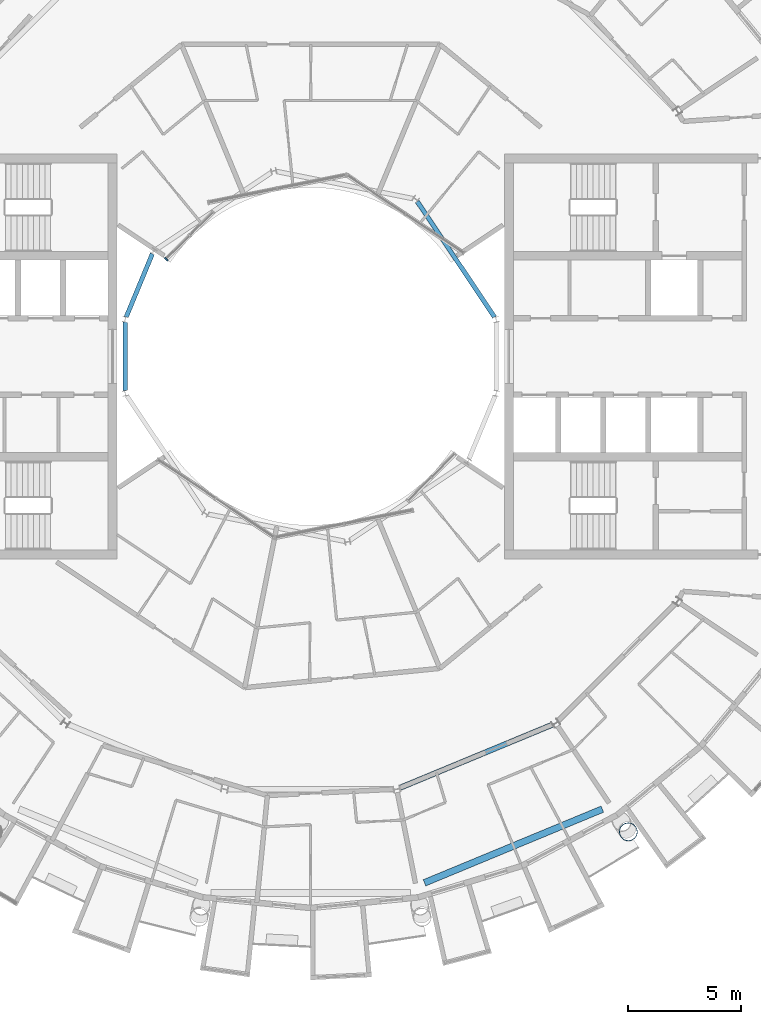
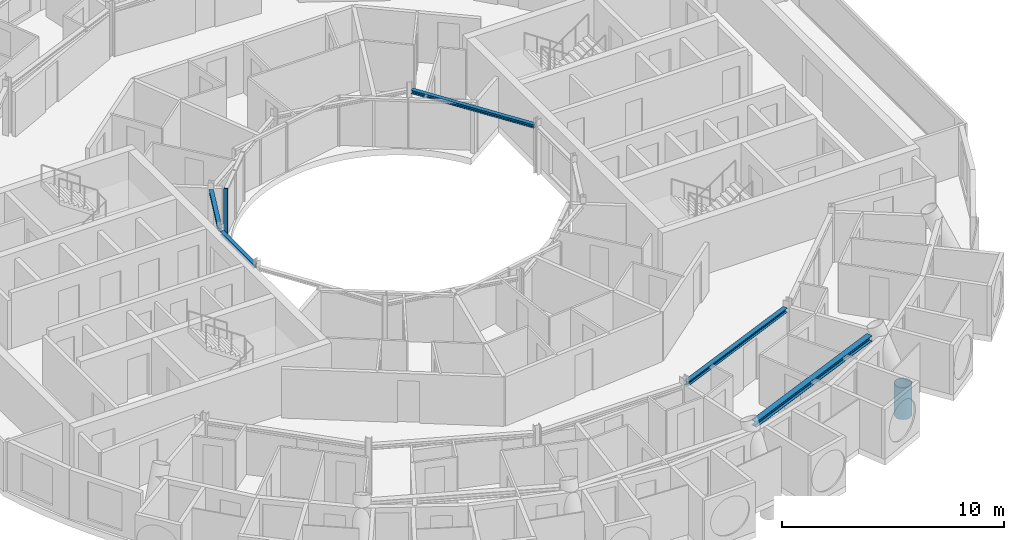
# One storey, part 7 of 27: 5 beams, 2 members, 1 element without a shape of its own.
"""IFC4 building model written with IfcOpenShell, lengths in metres."""

from ifc_helpers import new_model, si_unit, direction, frame, origin, origin_2d, place, context, subcontext, project, spatial, rectangle, hollow_circle, i_section, extrude, material, layer, layer_set, material_profile, profile_set, type_object, element, aggregate, save


model = new_model("IFC4")

# Units and contexts
model_context = context("Model", 3, precision=1e-05, world=origin(), true_north=direction((0.0, 1.0)))
body_context = subcontext(model_context, "Body", "Model", "MODEL_VIEW")
ifc_project = project(units=[si_unit("LENGTHUNIT", "METRE"), si_unit("AREAUNIT", "SQUARE_METRE"), si_unit("VOLUMEUNIT", "CUBIC_METRE"), si_unit("PLANEANGLEUNIT", "RADIAN"), si_unit("MASSUNIT", "GRAM", prefix="KILO")], contexts=[model_context])

# Site, building, storey
site_placement = place(None, origin())
site = spatial("IfcSite", under=ifc_project, at=site_placement, CompositionType="ELEMENT")
building_placement = place(site_placement, origin())
building = spatial("IfcBuilding", under=site, at=building_placement, Name="Maasbend Ring Residences", CompositionType="ELEMENT")
storey_placement = place(building_placement, frame((0.0, 0.0, 243.199951171875)))
storey = spatial("IfcBuildingStorey", under=building, at=storey_placement, Name="L70", CompositionType="ELEMENT", Elevation=243.199951171875)

# Curtain wall, member
ifc_material_1 = material(Name="Aluminium and clear glass", Category="aluminium")
ifc_layer = layer(ifc_material_1, 0.179931640625)
ifc_layer_set = layer_set([ifc_layer], Name="CW-W")
curtain_wall_type = type_object("IfcCurtainWallType", Name="CW-W", PredefinedType="NOTDEFINED", material=ifc_layer_set)
curtain_wall_placement = place(storey_placement, origin())
curtain_wall = element("IfcCurtainWall", 1, at=curtain_wall_placement, inside=storey, type_object=curtain_wall_type, Name="Well curtain wall N3", PredefinedType="NOTDEFINED")
ifc_material_2 = material(Name="Aluminium 6063-T6", Category="aluminium")
ifc_material_profile_1 = material_profile(ifc_material_2, rectangle(XDim=0.179931640625, YDim=0.06005859375, at=origin_2d()), Name="AL 180x60")
ifc_profile_set_1 = profile_set([ifc_material_profile_1], Name="Aluminium 6063-T6")
member_type_1 = type_object("IfcMemberType", Name="CWM-W", PredefinedType="MULLION", material=ifc_profile_set_1)
member_1_placement = place(storey_placement, frame((-6.413330078125, 4.320556640625, 0.0), z_axis=(0.0, 0.0, 1.0), x_axis=(0.707106781187, -0.707106781187, 0.0)))
member_1 = element("IfcMember", 2, at=member_1_placement, type_object=member_type_1, Name="Mullion well face", PredefinedType="MULLION", context=body_context, shape_type="SweptSolid", body=[
    extrude(rectangle(XDim=0.179931640625, YDim=0.06005859375, at=origin_2d()), origin(), (0.0, 0.0, 1.0), 2.699951171875),
])
aggregate(curtain_wall, [member_1])

# Member
ifc_material_3 = material(Name="Steel S460NH", Category="steel")
ifc_material_profile_2 = material_profile(ifc_material_3, hollow_circle(Radius=0.406494140625, WallThickness=0.030029296875, at=origin_2d()), Name="Column node insert CHS 813x30")
ifc_profile_set_2 = profile_set([ifc_material_profile_2], Name="Steel S460NH")
member_type_2 = type_object("IfcMemberType", Name="Column node insert CHS 813x30", PredefinedType="POST", material=ifc_profile_set_2)
member_2_placement = place(storey_placement, frame((14.111572265625, -21.119384765625, -1.5), z_axis=(0.0, 0.0, 1.0), x_axis=(1.0, 0.0, 0.0)))
element("IfcMember", 3, at=member_2_placement, inside=storey, type_object=member_type_2, Name="Column node insert R14", PredefinedType="POST", context=body_context, shape_type="SweptSolid", body=[
    extrude(hollow_circle(Radius=0.406494140625, WallThickness=0.030029296875, at=origin_2d()), origin(), (0.0, 0.0, 1.0), 1.741943359375),
])

# Beams
ifc_material_4 = material(Name="Steel S355J2", Category="steel")
ifc_material_profile_3 = material_profile(ifc_material_4, i_section(OverallWidth=0.239990234375, OverallDepth=0.22998046875, WebThickness=0.007568359375, FlangeThickness=0.011962890625, FilletRadius=0.02099609375, at=origin_2d()), Name="HEA 240")
ifc_profile_set_3 = profile_set([ifc_material_profile_3], Name="Steel S355J2")
beam_type_1 = type_object("IfcBeamType", Name="Corridor ring beam HEA 240", PredefinedType="BEAM", material=ifc_profile_set_3)
beam_1_placement = place(storey_placement, frame((3.965087890625, -19.164794921875, 2.5849609375), z_axis=(0.923875784142, 0.382692481603, 0.0), x_axis=(-0.382692481603, 0.923875784142, 0.0)))
element("IfcBeam", 4, at=beam_1_placement, inside=storey, type_object=beam_type_1, Name="Corridor ring beam", PredefinedType="BEAM", context=body_context, shape_type="SweptSolid", body=[
    extrude(i_section(OverallWidth=0.239990234375, OverallDepth=0.22998046875, WebThickness=0.007568359375, FlangeThickness=0.011962890625, FilletRadius=0.02099609375, at=origin_2d()), origin(), (0.0, 0.0, 1.0), 7.341552734375),
])
ifc_material_5 = material(Name="Steel S355J2", Category="steel")
ifc_material_profile_4 = material_profile(ifc_material_5, i_section(OverallWidth=0.300048828125, OverallDepth=0.300048828125, WebThickness=0.010986328125, FlangeThickness=0.01904296875, FilletRadius=0.027099609375, at=origin_2d()), Name="HEB 300")
ifc_profile_set_4 = profile_set([ifc_material_profile_4], Name="Steel S355J2")
beam_type_2 = type_object("IfcBeamType", Name="Spandrel ring beam HEB 300", PredefinedType="SPANDREL", material=ifc_profile_set_4)
beam_2_placement = place(storey_placement, frame((5.057861328125, -23.38330078125, 2.550048828125), z_axis=(0.923874855432, 0.382694723638, 0.0), x_axis=(-0.382694723638, 0.923874855432, 0.0)))
element("IfcBeam", 5, at=beam_2_placement, inside=storey, type_object=beam_type_2, Name="Spandrel ring beam", PredefinedType="SPANDREL", context=body_context, shape_type="SweptSolid", body=[
    extrude(i_section(OverallWidth=0.300048828125, OverallDepth=0.300048828125, WebThickness=0.010986328125, FlangeThickness=0.01904296875, FilletRadius=0.027099609375, at=origin_2d()), origin(), (0.0, 0.0, 1.0), 8.551025390625),
])
ifc_material_6 = material(Name="Steel S355J2", Category="steel")
ifc_material_profile_5 = material_profile(ifc_material_6, i_section(OverallWidth=0.199951171875, OverallDepth=0.18994140625, WebThickness=0.006591796875, FlangeThickness=0.010009765625, FilletRadius=0.01806640625, at=origin_2d()), Name="HEA 200")
ifc_profile_set_5 = profile_set([ifc_material_profile_5], Name="Steel S355J2")
beam_type_3 = type_object("IfcBeamType", Name="Well edge beam HEA 200", PredefinedType="BEAM", material=ifc_profile_set_5)
beam_3_placement = place(storey_placement, frame((8.16943359375, 1.7421875, 2.60498046875), z_axis=(-0.555547729421, 0.831484648286, 0.0), x_axis=(-0.831484648286, -0.555547729421, 0.0)))
element("IfcBeam", 6, at=beam_3_placement, inside=storey, type_object=beam_type_3, Name="Well edge beam", PredefinedType="BEAM", context=body_context, shape_type="SweptSolid", body=[
    extrude(i_section(OverallWidth=0.199951171875, OverallDepth=0.18994140625, WebThickness=0.006591796875, FlangeThickness=0.010009765625, FilletRadius=0.01806640625, at=origin_2d()), origin(), (0.0, 0.0, 1.0), 6.18017578125),
])
for number, where, z_axis, x_axis, name in (
    (7, (-7.029296875, 4.55859375, 2.60498046875), (-0.382609241817, -0.923910259753, 0.0), (0.923910259753, -0.382609241817, 0.0), "Well edge beam"),
    (8, (-8.238525390625, 1.521484375, 2.60498046875), (0.0, -1.0, 0.0), (1.0, 0.0, 0.0), "Well edge beam"),
):
    element("IfcBeam", number, at=place(storey_placement, frame(where, z_axis=z_axis, x_axis=x_axis)), inside=storey, type_object=beam_type_3, Name=name, PredefinedType="BEAM", context=body_context, shape_type="SweptSolid", body=[
        extrude(i_section(OverallWidth=0.199951171875, OverallDepth=0.18994140625, WebThickness=0.006591796875, FlangeThickness=0.010009765625, FilletRadius=0.01806640625, at=origin_2d()), origin(), (0.0, 0.0, 1.0), 3.04296875),
    ])

save(model, "model.ifc")
